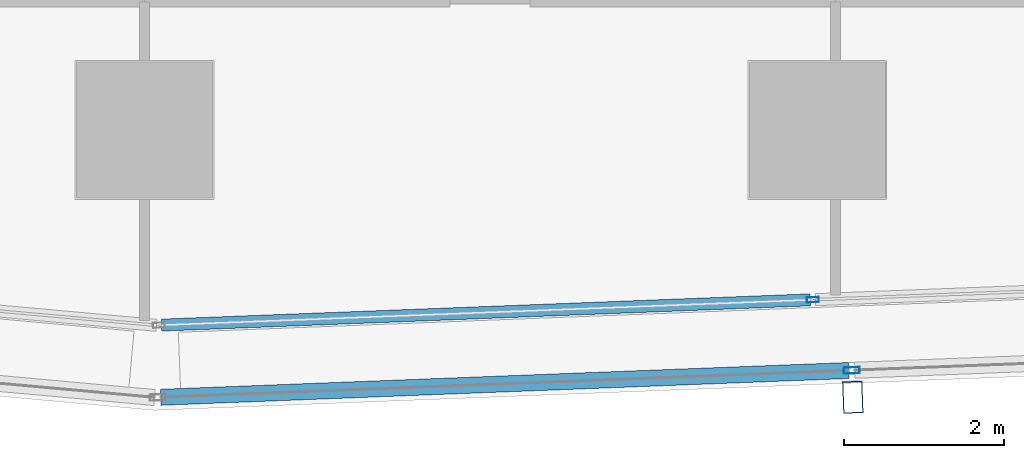
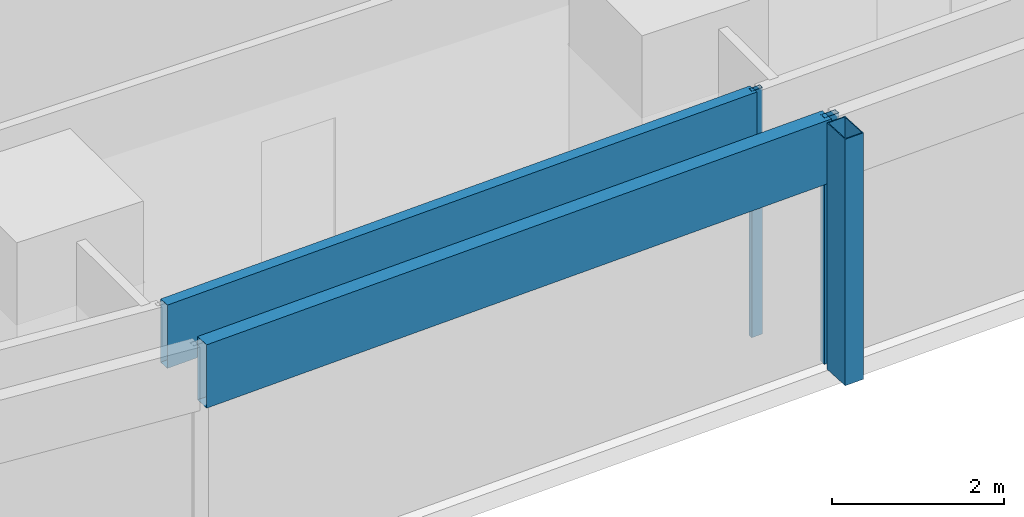
# One storey, part 6 of 40: 5 members, 2 elements without a shape of their own.
"""IFC4 building model written with IfcOpenShell, lengths in metres."""

from ifc_helpers import new_model, si_unit, direction, frame, origin, origin_2d, place, context, subcontext, project, spatial, hollow_rectangle, extrude, material, material_profile, profile_set, type_object, element, aggregate, save


model = new_model("IFC4")

# Units and contexts
model_context = context("Model", 3, precision=1e-05, world=origin(), true_north=direction((0.0, 1.0)))
body_context = subcontext(model_context, "Body", "Model", "MODEL_VIEW")
ifc_project = project(units=[si_unit("LENGTHUNIT", "METRE"), si_unit("AREAUNIT", "SQUARE_METRE"), si_unit("VOLUMEUNIT", "CUBIC_METRE"), si_unit("PLANEANGLEUNIT", "RADIAN"), si_unit("MASSUNIT", "GRAM", prefix="KILO")], contexts=[model_context])

# Site, building, storey
site_placement = place(None, origin())
site = spatial("IfcSite", under=ifc_project, at=site_placement, CompositionType="ELEMENT")
building_placement = place(site_placement, origin())
building = spatial("IfcBuilding", under=site, at=building_placement, Name="Rekha Terrace Tower", CompositionType="ELEMENT")
storey_placement = place(building_placement, frame((0.0, 0.0, 99.050048828125)))
storey = spatial("IfcBuildingStorey", under=building, at=storey_placement, Name="L24", CompositionType="ELEMENT", Elevation=99.050048828125)

# Curtain wall, member
ifc_material_1 = material(Name="Aluminium framing", Category="aluminium")
curtain_wall_type_1 = type_object("IfcCurtainWallType", Name="CW2 double skin outer glazing", PredefinedType="USERDEFINED", material=ifc_material_1)
curtain_wall_1_placement = place(storey_placement, origin())
curtain_wall_1 = element("IfcCurtainWall", 1, at=curtain_wall_1_placement, inside=storey, type_object=curtain_wall_type_1, Name="CW2 double skin outer glazing", ObjectType="DOUBLE SKIN OUTER GLAZING", PredefinedType="USERDEFINED")
ifc_material_2 = material(Name="Steel S355 with fluorocarbon finish", Category="steel")
ifc_material_profile_1 = material_profile(ifc_material_2, hollow_rectangle(XDim=0.25, YDim=0.39990234375, WallThickness=0.012451171875, at=origin_2d()), Name="RHS400x250x12.5")
ifc_profile_set_1 = profile_set([ifc_material_profile_1], Name="Steel S355 with fluorocarbon finish")
member_type_1 = type_object("IfcMemberType", Name="BL1 facade blade RHS 400 x 250", PredefinedType="USERDEFINED", material=ifc_profile_set_1)
member_1_placement = place(storey_placement, frame((34.042236328125, 13.46435546875, 0.0), z_axis=(0.0, 0.0, 1.0), x_axis=(0.999243494356, 0.038890088543, 0.0)))
member_1 = element("IfcMember", 2, at=member_1_placement, type_object=member_type_1, Name="Facade blade", ObjectType="FACADE BLADE", PredefinedType="USERDEFINED", context=body_context, shape_type="SweptSolid", body=[
    extrude(hollow_rectangle(XDim=0.25, YDim=0.39990234375, WallThickness=0.012451171875, at=origin_2d()), origin(), (0.0, 0.0, 1.0), 3.5),
])

# Curtain wall, members
curtain_wall_type_2 = type_object("IfcCurtainWallType", Name="CW1 double skin inner glazing", PredefinedType="USERDEFINED", material=ifc_material_1)
curtain_wall_2_placement = place(storey_placement, origin())
curtain_wall_2 = element("IfcCurtainWall", 3, at=curtain_wall_2_placement, inside=storey, type_object=curtain_wall_type_2, Name="CW1 double skin inner glazing", ObjectType="DOUBLE SKIN INNER GLAZING", PredefinedType="USERDEFINED")
ifc_material_3 = material(Name="Aluminium mullion section", Category="aluminium")
ifc_material_profile_2 = material_profile(ifc_material_3, hollow_rectangle(XDim=0.06494140625, YDim=0.14990234375, WallThickness=0.00390625, at=origin_2d()), Name="AL RHS 65x150")
ifc_profile_set_2 = profile_set([ifc_material_profile_2], Name="Aluminium mullion section")
member_type_2 = type_object("IfcMemberType", Name="CW1 mullion RHS 65 x 150", PredefinedType="MULLION", material=ifc_profile_set_2)
member_2_placement = place(storey_placement, frame((33.5439453125, 14.680908203125, 0.0), z_axis=(0.0, 0.0, 1.0), x_axis=(-0.038889971345, 0.999243498917, 0.0)))
member_2 = element("IfcMember", 4, at=member_2_placement, type_object=member_type_2, Name="CW1 mullion 2", PredefinedType="MULLION", context=body_context, shape_type="SweptSolid", body=[
    extrude(hollow_rectangle(XDim=0.06494140625, YDim=0.14990234375, WallThickness=0.00390625, at=origin_2d()), origin(), (0.0, 0.0, 1.0), 3.5),
])
ifc_material_4 = material(Name="Insulated aluminium spandrel box", Category="aluminium")
ifc_material_profile_3 = material_profile(ifc_material_4, hollow_rectangle(XDim=0.14990234375, YDim=0.89990234375, WallThickness=0.0029296875, at=origin_2d()), Name="AL SPANDREL BOX 150x900")
ifc_profile_set_3 = profile_set([ifc_material_profile_3], Name="Insulated aluminium spandrel box")
member_type_3 = type_object("IfcMemberType", Name="CW1 spandrel transom 150 x 900", PredefinedType="USERDEFINED", material=ifc_profile_set_3)
member_3_placement = place(storey_placement, frame((25.412353515625, 14.364501953125, 3.050048828125), z_axis=(0.999243630757, 0.038886583689, 0.0), x_axis=(-0.038886583689, 0.999243630757, 0.0)))
member_3 = element("IfcMember", 5, at=member_3_placement, type_object=member_type_3, Name="CW1 spandrel transom 1", ObjectType="TRANSOM", PredefinedType="USERDEFINED", context=body_context, shape_type="SweptSolid", body=[
    extrude(hollow_rectangle(XDim=0.14990234375, YDim=0.89990234375, WallThickness=0.0029296875, at=origin_2d()), origin(), (0.0, 0.0, 1.0), 8.105224609375),
])
aggregate(curtain_wall_2, [member_2, member_3])

# Member
ifc_material_profile_4 = material_profile(ifc_material_3, hollow_rectangle(XDim=0.080078125, YDim=0.199951171875, WallThickness=0.00390625, at=origin_2d()), Name="AL RHS 80x200")
ifc_profile_set_4 = profile_set([ifc_material_profile_4], Name="Aluminium mullion section")
member_type_4 = type_object("IfcMemberType", Name="CW2 mullion RHS 80 x 200", PredefinedType="MULLION", material=ifc_profile_set_4)
member_4_placement = place(storey_placement, frame((34.029052734375, 13.799072265625, 0.0), z_axis=(0.0, 0.0, 1.0), x_axis=(-0.038889971345, 0.999243498917, 0.0)))
member_4 = element("IfcMember", 6, at=member_4_placement, type_object=member_type_4, Name="CW2 mullion 2", PredefinedType="MULLION", context=body_context, shape_type="SweptSolid", body=[
    extrude(hollow_rectangle(XDim=0.080078125, YDim=0.199951171875, WallThickness=0.00390625, at=origin_2d()), origin(), (0.0, 0.0, 1.0), 3.5),
])

ifc_material_profile_5 = material_profile(ifc_material_4, hollow_rectangle(XDim=0.199951171875, YDim=0.89990234375, WallThickness=0.0029296875, at=origin_2d()), Name="AL SPANDREL BOX 200x900")
ifc_profile_set_5 = profile_set([ifc_material_profile_5], Name="Insulated aluminium spandrel box")
member_type_5 = type_object("IfcMemberType", Name="CW2 spandrel transom 200 x 900", PredefinedType="USERDEFINED", material=ifc_profile_set_5)
member_5_placement = place(storey_placement, frame((25.404052734375, 13.46337890625, 3.050048828125), z_axis=(0.999243058466, 0.038901286707, 0.0), x_axis=(-0.038901286707, 0.999243058466, 0.0)))
member_5 = element("IfcMember", 7, at=member_5_placement, type_object=member_type_5, Name="CW2 spandrel transom 1", ObjectType="TRANSOM", PredefinedType="USERDEFINED", context=body_context, shape_type="SweptSolid", body=[
    extrude(hollow_rectangle(XDim=0.199951171875, YDim=0.89990234375, WallThickness=0.0029296875, at=origin_2d()), origin(), (0.0, 0.0, 1.0), 8.591796875),
])

aggregate(curtain_wall_1, [member_4, member_5, member_1])

save(model, "model.ifc")
